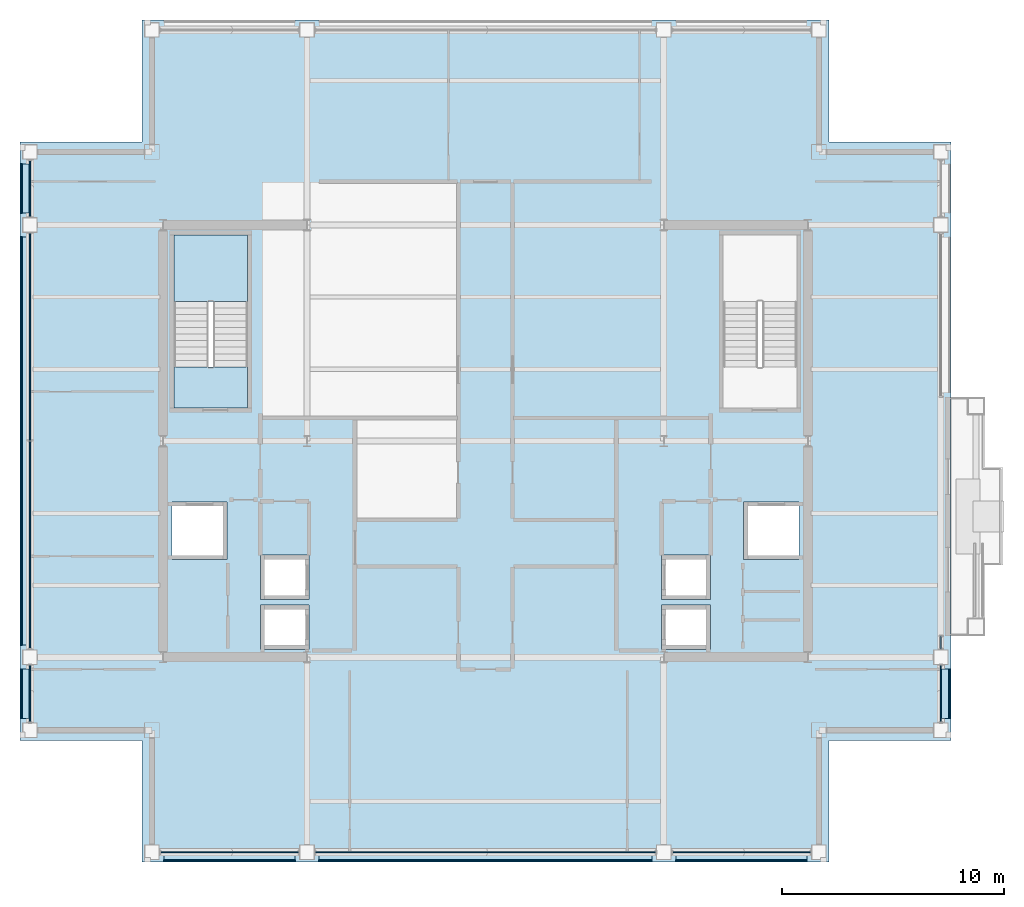
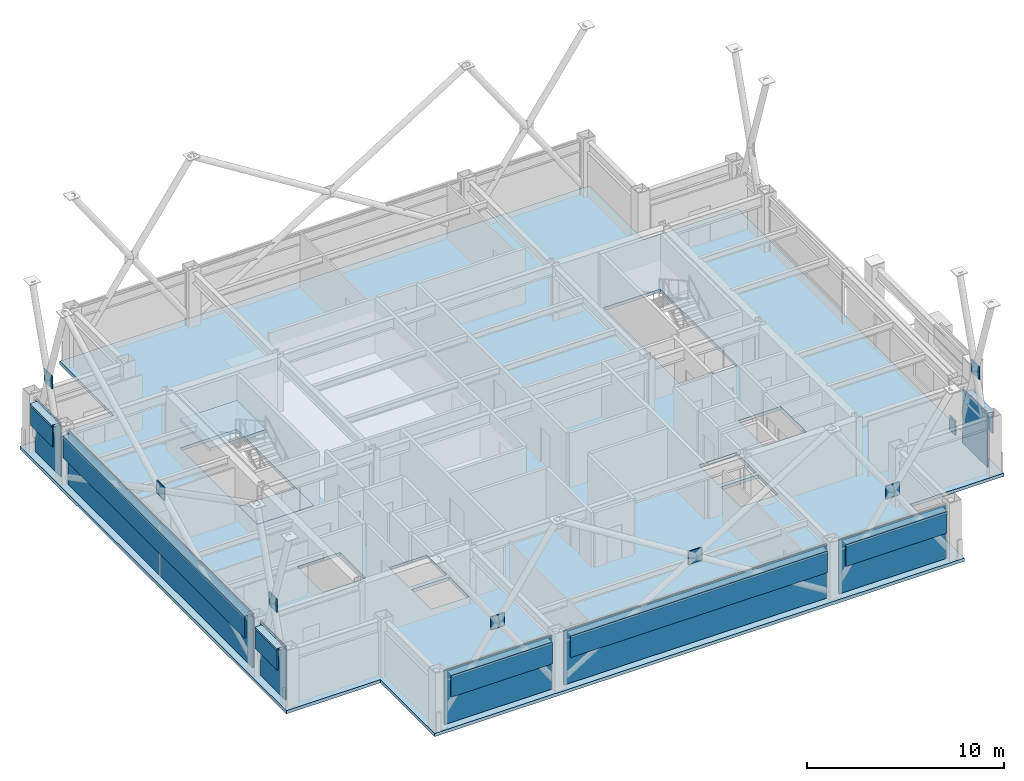
# One storey, part 26 of 33: 30 plates, 3 slabs, 1 member, 9 elements without a shape of their own.
"""IFC4 building model written with IfcOpenShell, lengths in metres."""

from ifc_helpers import new_model, si_unit, direction, frame, origin, origin_2d, place, context, subcontext, project, spatial, polyline, rectangle, hollow_rectangle, outline, extrude, material, layer, layer_set, material_profile, profile_set, type_object, element, aggregate, save


model = new_model("IFC4")

# Units and contexts
model_context = context("Model", 3, precision=1e-05, world=origin(), true_north=direction((0.0, 1.0)))
body_context = subcontext(model_context, "Body", "Model", "MODEL_VIEW")
ifc_project = project(units=[si_unit("LENGTHUNIT", "METRE"), si_unit("AREAUNIT", "SQUARE_METRE"), si_unit("VOLUMEUNIT", "CUBIC_METRE"), si_unit("PLANEANGLEUNIT", "RADIAN"), si_unit("MASSUNIT", "GRAM", prefix="KILO")], contexts=[model_context])

# Site, building, storey
site_placement = place(None, origin())
site = spatial("IfcSite", under=ifc_project, at=site_placement, CompositionType="ELEMENT")
building_placement = place(site_placement, origin())
building = spatial("IfcBuilding", under=site, at=building_placement, Name="Brelmoor Portico Tower", CompositionType="ELEMENT")
storey_placement = place(building_placement, frame((0.0, 0.0, 183.89990234375)))
storey = spatial("IfcBuildingStorey", under=building, at=storey_placement, Name="L48", CompositionType="ELEMENT", Elevation=183.89990234375)

# Curtain wall, member
ifc_material_1 = material(Name="Anodised Aluminium Alloy 6063-T6", Category="aluminium")
ifc_layer_1 = layer(ifc_material_1, 0.179931640625)
ifc_layer_set_1 = layer_set([ifc_layer_1], Name="Anodised Aluminium Alloy 6063-T6")
curtain_wall_type_1 = type_object("IfcCurtainWallType", Name="CW-TOWER-Z3", PredefinedType="NOTDEFINED", material=ifc_layer_set_1)
curtain_wall_1_placement = place(storey_placement, origin())
curtain_wall_1 = element("IfcCurtainWall", 1, at=curtain_wall_1_placement, inside=storey, type_object=curtain_wall_type_1, Name="L48 Curtain Wall CW-L48-4L-2", PredefinedType="NOTDEFINED")
ifc_material_profile = material_profile(ifc_material_1, hollow_rectangle(XDim=0.06005859375, YDim=0.125, WallThickness=0.00341796875, at=origin_2d()), Name="ALU TRANSOM 60x125")
ifc_profile_set = profile_set([ifc_material_profile], Name="Anodised Aluminium Alloy 6063-T6")
member_type = type_object("IfcMemberType", Name="MB-CW-TRAN-125", PredefinedType="USERDEFINED", material=ifc_profile_set)
member_placement = place(storey_placement, frame((20.550048828125, -9.389892578125, 0.85009765625), z_axis=(0.0, 1.0, 0.0), x_axis=(-1.0, 0.0, 0.0)))
member = element("IfcMember", 2, at=member_placement, type_object=member_type, Name="CW-L48-4L-2 Transom 1-00", ObjectType="TRANSOM", PredefinedType="USERDEFINED", context=body_context, shape_type="SweptSolid", body=[
    extrude(hollow_rectangle(XDim=0.06005859375, YDim=0.125, WallThickness=0.00341796875, at=origin_2d()), origin(), (0.0, 0.0, 1.0), 0.58984375),
])

# Curtain wall, plate
ifc_layer_2 = layer(ifc_material_1, 0.179931640625)
ifc_layer_set_2 = layer_set([ifc_layer_2], Name="Anodised Aluminium Alloy 6063-T6")
curtain_wall_type_2 = type_object("IfcCurtainWallType", Name="CW-TOWER-Z3-XB", PredefinedType="NOTDEFINED", material=ifc_layer_set_2)
curtain_wall_2_placement = place(storey_placement, origin())
curtain_wall_2 = element("IfcCurtainWall", 3, at=curtain_wall_2_placement, inside=storey, type_object=curtain_wall_type_2, Name="L48 Curtain Wall CW-L48-01-1", PredefinedType="NOTDEFINED")
ifc_material_2 = material(Name="Pale Champagne Anodised Aluminium Panel", Category="aluminium")
ifc_layer_3 = layer(ifc_material_2, 0.050048828125)
ifc_layer_set_3 = layer_set([ifc_layer_3], Name="Pale Champagne Anodised Aluminium Panel")
plate_type_1 = type_object("IfcPlateType", Name="PT-CW-SPANDREL", PredefinedType="SHEET", material=ifc_layer_set_3)
plate_1_placement = place(storey_placement, frame((-11.550048828125, -18.550048828125, 0.0), z_axis=(0.0, 0.0, 1.0), x_axis=(1.0, 0.0, 0.0)))
plate_1 = element("IfcPlate", 4, at=plate_1_placement, type_object=plate_type_1, Name="CW-L48-01-1 Spandrel Panel 00", PredefinedType="SHEET", context=body_context, shape_type="SweptSolid", body=[
    extrude(rectangle(XDim=6.25, YDim=0.050048828125, at=origin_2d()), origin(), (0.0, 0.0, 1.0), 3.33740234375),
])
aggregate(curtain_wall_2, [plate_1])

curtain_wall_3_placement = place(storey_placement, origin())
curtain_wall_3 = element("IfcCurtainWall", 5, at=curtain_wall_3_placement, inside=storey, type_object=curtain_wall_type_2, Name="L48 Curtain Wall CW-L48-01-2", PredefinedType="NOTDEFINED")
plate_2_placement = place(storey_placement, frame((0.0, -18.550048828125, 0.0), z_axis=(0.0, 0.0, 1.0), x_axis=(1.0, 0.0, 0.0)))
plate_2 = element("IfcPlate", 6, at=plate_2_placement, type_object=plate_type_1, Name="CW-L48-01-2 Spandrel Panel 00", PredefinedType="SHEET", context=body_context, shape_type="SweptSolid", body=[
    extrude(rectangle(XDim=15.35009765625, YDim=0.050048828125, at=origin_2d()), origin(), (0.0, 0.0, 1.0), 3.33740234375),
])
aggregate(curtain_wall_3, [plate_2])

curtain_wall_4_placement = place(storey_placement, origin())
curtain_wall_4 = element("IfcCurtainWall", 7, at=curtain_wall_4_placement, inside=storey, type_object=curtain_wall_type_2, Name="L48 Curtain Wall CW-L48-01-3", PredefinedType="NOTDEFINED")
plate_3_placement = place(storey_placement, frame((11.550048828125, -18.550048828125, 0.0), z_axis=(0.0, 0.0, 1.0), x_axis=(1.0, 0.0, 0.0)))
plate_3 = element("IfcPlate", 8, at=plate_3_placement, type_object=plate_type_1, Name="CW-L48-01-3 Spandrel Panel 00", PredefinedType="SHEET", context=body_context, shape_type="SweptSolid", body=[
    extrude(rectangle(XDim=6.25, YDim=0.050048828125, at=origin_2d()), origin(), (0.0, 0.0, 1.0), 3.33740234375),
])
aggregate(curtain_wall_4, [plate_3])

curtain_wall_5_placement = place(storey_placement, origin())
curtain_wall_5 = element("IfcCurtainWall", 9, at=curtain_wall_5_placement, inside=storey, type_object=curtain_wall_type_2, Name="L48 Curtain Wall CW-L48-03-1", PredefinedType="NOTDEFINED")
plate_4_placement = place(storey_placement, frame((-20.550048828125, -11.39990234375, 0.0), z_axis=(0.0, 0.0, 1.0), x_axis=(0.0, 1.0, 0.0)))
plate_4 = element("IfcPlate", 10, at=plate_4_placement, type_object=plate_type_1, Name="CW-L48-03-1 Spandrel Panel 00", PredefinedType="SHEET", context=body_context, shape_type="SweptSolid", body=[
    extrude(rectangle(XDim=2.550048828125, YDim=0.050048828125, at=origin_2d()), origin(), (0.0, 0.0, 1.0), 3.33740234375),
])
aggregate(curtain_wall_5, [plate_4])

# Curtain wall, plates
curtain_wall_6_placement = place(storey_placement, origin())
curtain_wall_6 = element("IfcCurtainWall", 11, at=curtain_wall_6_placement, inside=storey, type_object=curtain_wall_type_2, Name="L48 Curtain Wall CW-L48-03-2", PredefinedType="NOTDEFINED")
plate_5_placement = place(storey_placement, frame((-20.550048828125, -4.695068359375, 0.0), z_axis=(0.0, 0.0, 1.0), x_axis=(0.0, 1.0, 0.0)))
plate_5 = element("IfcPlate", 12, at=plate_5_placement, type_object=plate_type_1, Name="CW-L48-03-2 Spandrel Panel 00", PredefinedType="SHEET", context=body_context, shape_type="SweptSolid", body=[
    extrude(rectangle(XDim=9.360107421875, YDim=0.050048828125, at=origin_2d()), origin(), (0.0, 0.0, 1.0), 3.33740234375),
])
plate_6_placement = place(storey_placement, frame((-20.550048828125, 4.695068359375, 0.0), z_axis=(0.0, 0.0, 1.0), x_axis=(0.0, 1.0, 0.0)))
plate_6 = element("IfcPlate", 13, at=plate_6_placement, type_object=plate_type_1, Name="CW-L48-03-2 Spandrel Panel 01", PredefinedType="SHEET", context=body_context, shape_type="SweptSolid", body=[
    extrude(rectangle(XDim=9.360107421875, YDim=0.050048828125, at=origin_2d()), origin(), (0.0, 0.0, 1.0), 3.33740234375),
])
aggregate(curtain_wall_6, [plate_5, plate_6])

# Curtain wall, plate
curtain_wall_7_placement = place(storey_placement, origin())
curtain_wall_7 = element("IfcCurtainWall", 14, at=curtain_wall_7_placement, inside=storey, type_object=curtain_wall_type_2, Name="L48 Curtain Wall CW-L48-03-3", PredefinedType="NOTDEFINED")
plate_7_placement = place(storey_placement, frame((-20.550048828125, 11.39990234375, 0.0), z_axis=(0.0, 0.0, 1.0), x_axis=(0.0, 1.0, 0.0)))
plate_7 = element("IfcPlate", 15, at=plate_7_placement, type_object=plate_type_1, Name="CW-L48-03-3 Spandrel Panel 00", PredefinedType="SHEET", context=body_context, shape_type="SweptSolid", body=[
    extrude(rectangle(XDim=2.550048828125, YDim=0.050048828125, at=origin_2d()), origin(), (0.0, 0.0, 1.0), 3.33740234375),
])
aggregate(curtain_wall_7, [plate_7])

curtain_wall_8_placement = place(storey_placement, origin())
curtain_wall_8 = element("IfcCurtainWall", 16, at=curtain_wall_8_placement, inside=storey, type_object=curtain_wall_type_2, Name="L48 Curtain Wall CW-L48-4L-1", PredefinedType="NOTDEFINED")
plate_8_placement = place(storey_placement, frame((20.550048828125, -11.39990234375, 0.0), z_axis=(0.0, 0.0, 1.0), x_axis=(0.0, 1.0, 0.0)))
plate_8 = element("IfcPlate", 17, at=plate_8_placement, type_object=plate_type_1, Name="CW-L48-4L-1 Spandrel Panel 00", PredefinedType="SHEET", context=body_context, shape_type="SweptSolid", body=[
    extrude(rectangle(XDim=2.550048828125, YDim=0.050048828125, at=origin_2d()), origin(), (0.0, 0.0, 1.0), 3.33740234375),
])
aggregate(curtain_wall_8, [plate_8])

# Plate
plate_9_placement = place(storey_placement, frame((20.550048828125, -9.094970703125, 0.0), z_axis=(0.0, 0.0, 1.0), x_axis=(0.0, 1.0, 0.0)))
plate_9 = element("IfcPlate", 18, at=plate_9_placement, type_object=plate_type_1, Name="CW-L48-4L-2 Spandrel Panel 00", PredefinedType="SHEET", context=body_context, shape_type="SweptSolid", body=[
    extrude(rectangle(XDim=0.56005859375, YDim=0.050048828125, at=origin_2d()), origin(), (0.0, 0.0, 1.0), 0.85009765625),
])

aggregate(curtain_wall_1, [member, plate_9])

# Plates
ifc_material_3 = material(Name="Steel Q355B", Category="steel")
ifc_layer_4 = layer(ifc_material_3, 0.050048828125)
ifc_layer_set_4 = layer_set([ifc_layer_4], Name="Steel Q355B")
plate_type_2 = type_object("IfcPlateType", Name="PT-GUSSET-800", PredefinedType="USERDEFINED", material=ifc_layer_set_4)
for number, where, z_axis, x_axis, name in (
    (19, (-11.550048828125, -18.550048828125, 4.89990234375), (0.0, 0.0, 1.0), (1.0, 0.0, 0.0), "L48 Perimeter Mega-Brace Gusset 105"),
    (20, (0.0, -18.550048828125, 4.89990234375), (0.0, 0.0, 1.0), (1.0, 0.0, 0.0), "L48 Perimeter Mega-Brace Gusset 106"),
    (21, (11.550048828125, -18.550048828125, 4.89990234375), (0.0, 0.0, 1.0), (1.0, 0.0, 0.0), "L48 Perimeter Mega-Brace Gusset 107"),
):
    element("IfcPlate", number, at=place(storey_placement, frame(where, z_axis=z_axis, x_axis=x_axis)), inside=storey, type_object=plate_type_2, Name=name, ObjectType="GUSSET PLATE", PredefinedType="USERDEFINED", context=body_context, shape_type="SweptSolid", body=[
        extrude(rectangle(XDim=0.800048828125, YDim=0.050048828125, at=origin_2d()), origin(), (0.0, 0.0, 1.0), 0.800048828125),
    ])
for number, where, z_axis, x_axis, name in (
    (22, (-20.550048828125, -11.39990234375, 4.89990234375), (0.0, 0.0, 1.0), (1.0, 0.0, 0.0), "L48 Perimeter Mega-Brace Gusset 111"),
    (23, (-20.550048828125, 0.0, 4.89990234375), (0.0, 0.0, 1.0), (1.0, 0.0, 0.0), "L48 Perimeter Mega-Brace Gusset 112"),
    (24, (-20.550048828125, 11.39990234375, 4.89990234375), (0.0, 0.0, 1.0), (1.0, 0.0, 0.0), "L48 Perimeter Mega-Brace Gusset 113"),
    (25, (20.550048828125, -11.39990234375, 4.89990234375), (0.0, 0.0, 1.0), (1.0, 0.0, 0.0), "L48 Perimeter Mega-Brace Gusset 114"),
):
    element("IfcPlate", number, at=place(storey_placement, frame(where, z_axis=z_axis, x_axis=x_axis)), inside=storey, type_object=plate_type_2, Name=name, ObjectType="GUSSET PLATE", PredefinedType="USERDEFINED", context=body_context, shape_type="SweptSolid", body=[
        extrude(rectangle(XDim=0.050048828125, YDim=0.800048828125, at=origin_2d()), origin(), (0.0, 0.0, 1.0), 0.800048828125),
    ])
ifc_material_4 = material(Name="Powder-Coated Aluminium Shuttered Jalousie Louvre", Category="aluminium")
ifc_layer_5 = layer(ifc_material_4, 0.06005859375)
ifc_layer_set_5 = layer_set([ifc_layer_5], Name="Powder-Coated Aluminium Shuttered Jalousie Louvre")
plate_type_3 = type_object("IfcPlateType", Name="PT-JALOUSIE-SHUTTER", PredefinedType="SHEET", material=ifc_layer_set_5)
plate_10_placement = place(storey_placement, frame((-11.550048828125, -18.929931640625, 1.8740234375), z_axis=(0.0, 0.0, 1.0), x_axis=(1.0, 0.0, 0.0)))
element("IfcPlate", 26, at=plate_10_placement, inside=storey, type_object=plate_type_3, Name="CW-L48-01-1 Perforated Jalousie Solar Screen", PredefinedType="SHEET", context=body_context, shape_type="SweptSolid", body=[
    extrude(rectangle(XDim=5.919921875, YDim=0.06494140625, at=origin_2d()), origin(), (0.0, 0.0, 1.0), 1.325927734375),
])
plate_11_placement = place(storey_placement, frame((0.0, -18.929931640625, 1.8740234375), z_axis=(0.0, 0.0, 1.0), x_axis=(1.0, 0.0, 0.0)))
element("IfcPlate", 27, at=plate_11_placement, inside=storey, type_object=plate_type_3, Name="CW-L48-01-2 Perforated Jalousie Solar Screen", PredefinedType="SHEET", context=body_context, shape_type="SweptSolid", body=[
    extrude(rectangle(XDim=15.02001953125, YDim=0.06494140625, at=origin_2d()), origin(), (0.0, 0.0, 1.0), 1.325927734375),
])
plate_12_placement = place(storey_placement, frame((11.550048828125, -18.929931640625, 1.8740234375), z_axis=(0.0, 0.0, 1.0), x_axis=(1.0, 0.0, 0.0)))
element("IfcPlate", 28, at=plate_12_placement, inside=storey, type_object=plate_type_3, Name="CW-L48-01-3 Perforated Jalousie Solar Screen", PredefinedType="SHEET", context=body_context, shape_type="SweptSolid", body=[
    extrude(rectangle(XDim=5.919921875, YDim=0.06494140625, at=origin_2d()), origin(), (0.0, 0.0, 1.0), 1.325927734375),
])
plate_13_placement = place(storey_placement, frame((-20.929931640625, -11.39990234375, 1.8740234375), z_axis=(0.0, 0.0, 1.0), x_axis=(0.0, 1.0, 0.0)))
element("IfcPlate", 29, at=plate_13_placement, inside=storey, type_object=plate_type_3, Name="CW-L48-03-1 Perforated Jalousie Solar Screen", PredefinedType="SHEET", context=body_context, shape_type="SweptSolid", body=[
    extrude(rectangle(XDim=2.219970703125, YDim=0.06494140625, at=origin_2d()), origin(), (0.0, 0.0, 1.0), 1.325927734375),
])
plate_14_placement = place(storey_placement, frame((-20.929931640625, 0.0, 1.8740234375), z_axis=(0.0, 0.0, 1.0), x_axis=(0.0, 1.0, 0.0)))
element("IfcPlate", 30, at=plate_14_placement, inside=storey, type_object=plate_type_3, Name="CW-L48-03-2 Perforated Jalousie Solar Screen", PredefinedType="SHEET", context=body_context, shape_type="SweptSolid", body=[
    extrude(rectangle(XDim=18.419921875, YDim=0.06494140625, at=origin_2d()), origin(), (0.0, 0.0, 1.0), 1.325927734375),
])
for number, where, z_axis, x_axis, name in (
    (31, (-20.929931640625, 11.39990234375, 1.8740234375), (0.0, 0.0, 1.0), (0.0, 1.0, 0.0), "CW-L48-03-3 Perforated Jalousie Solar Screen"),
    (32, (20.929931640625, -11.39990234375, 1.8740234375), (0.0, 0.0, 1.0), (0.0, 1.0, 0.0), "CW-L48-4L-1 Perforated Jalousie Solar Screen"),
):
    element("IfcPlate", number, at=place(storey_placement, frame(where, z_axis=z_axis, x_axis=x_axis)), inside=storey, type_object=plate_type_3, Name=name, PredefinedType="SHEET", context=body_context, shape_type="SweptSolid", body=[
        extrude(rectangle(XDim=2.219970703125, YDim=0.06494140625, at=origin_2d()), origin(), (0.0, 0.0, 1.0), 1.325927734375),
    ])
ifc_material_5 = material(Name="Pale Champagne Perforated Aluminium Solar Screen", Category="aluminium")
ifc_layer_6 = layer(ifc_material_5, 0.054931640625)
ifc_layer_set_6 = layer_set([ifc_layer_6], Name="Pale Champagne Perforated Aluminium Solar Screen")
plate_type_4 = type_object("IfcPlateType", Name="PT-SOLAR-LOUVRE", PredefinedType="SHEET", material=ifc_layer_set_6)
plate_15_placement = place(storey_placement, frame((-11.550048828125, -18.760009765625, 3.09033203125), z_axis=(0.0, 0.0, 1.0), x_axis=(1.0, 0.0, 0.0)))
element("IfcPlate", 33, at=plate_15_placement, inside=storey, type_object=plate_type_4, Name="CW-L48-01-1 Caribbean Brise-Soleil Solar Screen", PredefinedType="SHEET", context=body_context, shape_type="SweptSolid", body=[
    extrude(rectangle(XDim=5.919921875, YDim=0.4599609375, at=origin_2d()), origin(), (0.0, 0.0, 1.0), 0.139892578125),
])
plate_16_placement = place(storey_placement, frame((0.0, -18.760009765625, 3.09033203125), z_axis=(0.0, 0.0, 1.0), x_axis=(1.0, 0.0, 0.0)))
element("IfcPlate", 34, at=plate_16_placement, inside=storey, type_object=plate_type_4, Name="CW-L48-01-2 Caribbean Brise-Soleil Solar Screen", PredefinedType="SHEET", context=body_context, shape_type="SweptSolid", body=[
    extrude(rectangle(XDim=15.02001953125, YDim=0.4599609375, at=origin_2d()), origin(), (0.0, 0.0, 1.0), 0.139892578125),
])
plate_17_placement = place(storey_placement, frame((11.550048828125, -18.760009765625, 3.09033203125), z_axis=(0.0, 0.0, 1.0), x_axis=(1.0, 0.0, 0.0)))
element("IfcPlate", 35, at=plate_17_placement, inside=storey, type_object=plate_type_4, Name="CW-L48-01-3 Caribbean Brise-Soleil Solar Screen", PredefinedType="SHEET", context=body_context, shape_type="SweptSolid", body=[
    extrude(rectangle(XDim=5.919921875, YDim=0.4599609375, at=origin_2d()), origin(), (0.0, 0.0, 1.0), 0.139892578125),
])
plate_18_placement = place(storey_placement, frame((-20.760009765625, -11.39990234375, 3.09033203125), z_axis=(0.0, 0.0, 1.0), x_axis=(0.0, 1.0, 0.0)))
element("IfcPlate", 36, at=plate_18_placement, inside=storey, type_object=plate_type_4, Name="CW-L48-03-1 Caribbean Brise-Soleil Solar Screen", PredefinedType="SHEET", context=body_context, shape_type="SweptSolid", body=[
    extrude(rectangle(XDim=2.219970703125, YDim=0.4599609375, at=origin_2d()), origin(), (0.0, 0.0, 1.0), 0.139892578125),
])
plate_19_placement = place(storey_placement, frame((-20.760009765625, 0.0, 3.09033203125), z_axis=(0.0, 0.0, 1.0), x_axis=(0.0, 1.0, 0.0)))
element("IfcPlate", 37, at=plate_19_placement, inside=storey, type_object=plate_type_4, Name="CW-L48-03-2 Caribbean Brise-Soleil Solar Screen", PredefinedType="SHEET", context=body_context, shape_type="SweptSolid", body=[
    extrude(rectangle(XDim=18.419921875, YDim=0.4599609375, at=origin_2d()), origin(), (0.0, 0.0, 1.0), 0.139892578125),
])
for number, where, z_axis, x_axis, name in (
    (38, (-20.760009765625, 11.39990234375, 3.09033203125), (0.0, 0.0, 1.0), (0.0, 1.0, 0.0), "CW-L48-03-3 Caribbean Brise-Soleil Solar Screen"),
    (39, (20.760009765625, -11.39990234375, 3.09033203125), (0.0, 0.0, 1.0), (0.0, 1.0, 0.0), "CW-L48-4L-1 Caribbean Brise-Soleil Solar Screen"),
):
    element("IfcPlate", number, at=place(storey_placement, frame(where, z_axis=z_axis, x_axis=x_axis)), inside=storey, type_object=plate_type_4, Name=name, PredefinedType="SHEET", context=body_context, shape_type="SweptSolid", body=[
        extrude(rectangle(XDim=2.219970703125, YDim=0.4599609375, at=origin_2d()), origin(), (0.0, 0.0, 1.0), 0.139892578125),
    ])

# Slab
ifc_material_6 = material(Name="Concrete C40", Category="concrete")
ifc_layer_7 = layer(ifc_material_6, 0.199951171875)
ifc_layer_set_7 = layer_set([ifc_layer_7], Name="Concrete C40")
slab_type_1 = type_object("IfcSlabType", Name="SL-FLOOR-200", PredefinedType="FLOOR", material=ifc_layer_set_7)
slab_1_placement = place(storey_placement, frame((0.0, 0.0, -0.199951171875)))
element("IfcSlab", 40, at=slab_1_placement, inside=storey, type_object=slab_type_1, Name="L48 Main Structural Floor Slab", PredefinedType="FLOOR", context=body_context, shape_type="SweptSolid", body=[
    extrude(outline(polyline([(-15.5, -19.0), (15.5, -19.0), (15.5, -13.5), (21.0, -13.5), (21.0, 13.5), (15.5, 13.5), (15.5, 19.0), (-15.5, 19.0), (-15.5, 13.5), (-21.0, 13.5), (-21.0, -13.5), (-15.5, -13.5), (-15.5, -19.0)]), holes=[polyline([(-10.72998046875, 1.5), (-10.72998046875, 9.300048828125), (-14.050048828125, 9.300048828125), (-14.050048828125, 1.5), (-10.72998046875, 1.5)]), polyline([(14.050048828125, 1.5), (14.050048828125, 9.300048828125), (10.72998046875, 9.300048828125), (10.72998046875, 1.5), (14.050048828125, 1.5)]), polyline([(-10.14990234375, -9.39990234375), (-7.949951171875, -9.39990234375), (-7.949951171875, -7.39990234375), (-10.14990234375, -7.39990234375), (-10.14990234375, -9.39990234375)]), polyline([(-10.14990234375, -7.14990234375), (-7.949951171875, -7.14990234375), (-7.949951171875, -5.14990234375), (-10.14990234375, -5.14990234375), (-10.14990234375, -7.14990234375)]), polyline([(7.949951171875, -9.39990234375), (10.14990234375, -9.39990234375), (10.14990234375, -7.39990234375), (7.949951171875, -7.39990234375), (7.949951171875, -9.39990234375)]), polyline([(7.949951171875, -7.14990234375), (10.14990234375, -7.14990234375), (10.14990234375, -5.14990234375), (7.949951171875, -5.14990234375), (7.949951171875, -7.14990234375)]), polyline([(-14.14990234375, -5.35009765625), (-11.64990234375, -5.35009765625), (-11.64990234375, -2.75), (-14.14990234375, -2.75), (-14.14990234375, -5.35009765625)]), polyline([(11.64990234375, -5.35009765625), (14.14990234375, -5.35009765625), (14.14990234375, -2.75), (11.64990234375, -2.75), (11.64990234375, -5.35009765625)])]), origin(), (0.0, 0.0, 1.0), 0.199951171875),
])

# Stair, slab
stair_type = type_object("IfcStairType", Name="ST-CORE-W", PredefinedType="HALF_TURN_STAIR", material=ifc_material_6)
stair_placement = place(storey_placement, origin())
stair = element("IfcStair", 41, at=stair_placement, inside=storey, type_object=stair_type, Name="L48 Protected Core Exit Stair ST-W", PredefinedType="HALF_TURN_STAIR")
ifc_layer_8 = layer(ifc_material_6, 0.179931640625)
ifc_layer_set_8 = layer_set([ifc_layer_8], Name="Concrete C40")
slab_type_2 = type_object("IfcSlabType", Name="SL-LANDING-180", PredefinedType="LANDING", material=ifc_layer_set_8)
slab_2_placement = place(storey_placement, frame((0.0, 0.0, 1.60009765625)))
slab_2 = element("IfcSlab", 42, at=slab_2_placement, type_object=slab_type_2, Name="ST-W landing 1", PredefinedType="LANDING", context=body_context, shape_type="SweptSolid", body=[
    extrude(outline(polyline([(-10.72998046875, 6.300048828125), (-10.72998046875, 9.300048828125), (-14.050048828125, 9.300048828125), (-14.050048828125, 6.300048828125), (-10.72998046875, 6.300048828125)])), origin(), (0.0, 0.0, 1.0), 0.199951171875),
])
aggregate(stair, [slab_2])

# Slab
ifc_layer_9 = layer(ifc_material_6, 0.199951171875)
ifc_layer_set_9 = layer_set([ifc_layer_9], Name="Concrete C40")
slab_type_3 = type_object("IfcSlabType", Name="SL-STAIR-FL200", PredefinedType="LANDING", material=ifc_layer_set_9)
slab_3_placement = place(storey_placement, frame((0.0, 0.0, -0.199951171875)))
element("IfcSlab", 43, at=slab_3_placement, inside=storey, type_object=slab_type_3, Name="L48 ST-W Structural Floor Landing Slab", PredefinedType="LANDING", context=body_context, shape_type="SweptSolid", body=[
    extrude(outline(polyline([(-10.72998046875, 1.5), (-10.72998046875, 3.35009765625), (-14.050048828125, 3.35009765625), (-14.050048828125, 1.5), (-10.72998046875, 1.5)])), origin(), (0.0, 0.0, 1.0), 0.199951171875),
])

save(model, "model.ifc")
